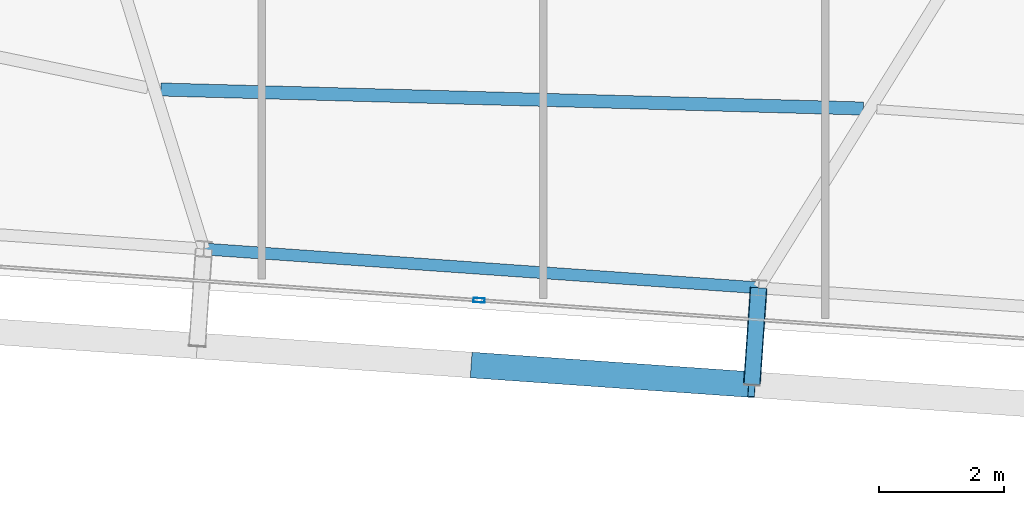
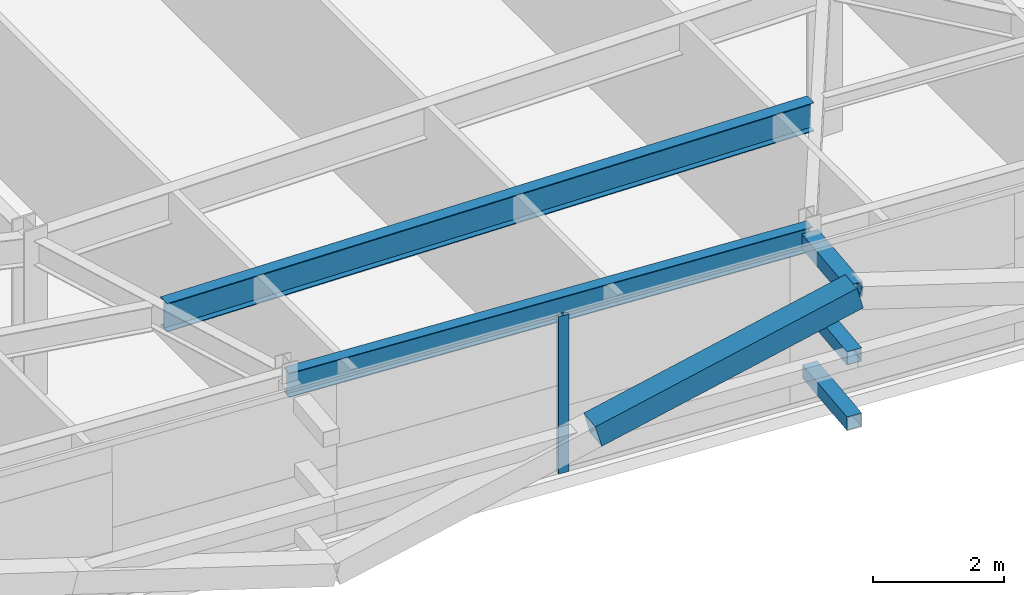
# One storey, part 9 of 39: 5 members, 2 beams, 1 element without a shape of its own.
"""IFC4 building model written with IfcOpenShell, lengths in metres."""

from ifc_helpers import new_model, si_unit, direction, frame, origin, origin_2d, place, context, subcontext, project, spatial, hollow_rectangle, i_section, extrude, source, transform, mapped, material, layer, layer_set, material_profile, profile_set, type_object, element, aggregate, save


model = new_model("IFC4")

# Units and contexts
model_context = context("Model", 3, precision=1e-05, world=origin(), true_north=direction((0.0, 1.0)))
body_context = subcontext(model_context, "Body", "Model", "MODEL_VIEW")
ifc_project = project(units=[si_unit("LENGTHUNIT", "METRE"), si_unit("AREAUNIT", "SQUARE_METRE"), si_unit("VOLUMEUNIT", "CUBIC_METRE"), si_unit("PLANEANGLEUNIT", "RADIAN"), si_unit("MASSUNIT", "GRAM", prefix="KILO")], contexts=[model_context])

# Site, building, storey
site_placement = place(None, origin())
site = spatial("IfcSite", under=ifc_project, at=site_placement, CompositionType="ELEMENT")
building_placement = place(site_placement, origin())
building = spatial("IfcBuilding", under=site, at=building_placement, Name="Taldren Reach Tower", CompositionType="ELEMENT")
storey_placement = place(building_placement, frame((0.0, 0.0, 158.199951171875)))
storey = spatial("IfcBuildingStorey", under=building, at=storey_placement, Name="L48", CompositionType="ELEMENT", Elevation=158.199951171875)

# Members
ifc_material_1 = material(Name="Steel Gr 450 (C450L0)", Category="steel")
ifc_material_profile_1 = material_profile(ifc_material_1, hollow_rectangle(XDim=0.27490234375, YDim=0.27490234375, WallThickness=0.00927734375, at=origin_2d()), Name="275x275x9.3SHS")
ifc_profile_set_1 = profile_set([ifc_material_profile_1], Name="Steel Gr 450 (C450L0)")
member_type_1 = type_object("IfcMemberType", Name="MB-TIE273", PredefinedType="STRUT", material=ifc_profile_set_1)
shared_shape_1 = source(origin(), body_context, "Body", "SweptSolid", [
    extrude(hollow_rectangle(XDim=0.27490234375, YDim=0.27490234375, WallThickness=0.00927734375, at=origin_2d()), origin(), (0.0, 0.0, 1.0), 1.550048828125),
])
member_1_placement = place(storey_placement, frame((38.438720703125, 3.480224609375, 2.650146484375), z_axis=(-0.06976957191, -0.99756313426, 0.0), x_axis=(0.99756313426, -0.06976957191, 0.0)))
element("IfcMember", 1, at=member_1_placement, inside=storey, type_object=member_type_1, Name="Exoskeleton diaphragm tie strut B3-S4 L48", PredefinedType="STRUT", context=body_context, shape_type="MappedRepresentation", body=[
    mapped(shared_shape_1, transform((0.0, 0.0, 0.0), scale=1.0)),
])
ifc_material_2 = material(Name="Steel Gr 350 (C350L0)", Category="steel")
ifc_material_profile_2 = material_profile(ifc_material_2, hollow_rectangle(XDim=0.25, YDim=0.25, WallThickness=0.010009765625, at=origin_2d()), Name="250x250x10.0SHS")
ifc_profile_set_2 = profile_set([ifc_material_profile_2], Name="Steel Gr 350 (C350L0)")
member_type_2 = type_object("IfcMemberType", Name="MB-POST250", PredefinedType="POST", material=ifc_profile_set_2)
shared_shape_2 = source(origin(), body_context, "Body", "SweptSolid", [
    extrude(hollow_rectangle(XDim=0.25, YDim=0.25, WallThickness=0.010009765625, at=origin_2d()), origin(), (0.0, 0.0, 1.0), 1.550048828125),
])
for number, where, z_axis, x_axis, name in (
    (2, (38.438720703125, 3.480224609375, 0.219970703125), (-0.06976957191, -0.99756313426, 0.0), (0.99756313426, -0.06976957191, 0.0), "Exoskeleton base diaphragm tie strut B3-S4 L48"),
    (3, (38.438720703125, 3.480224609375, 1.43505859375), (-0.06976957191, -0.99756313426, 0.0), (0.99756313426, -0.06976957191, 0.0), "Exoskeleton mid-tier diaphragm tie B3-S4 L48"),
):
    element("IfcMember", number, at=place(storey_placement, frame(where, z_axis=z_axis, x_axis=x_axis)), inside=storey, type_object=member_type_2, Name=name, PredefinedType="POST", context=body_context, shape_type="MappedRepresentation", body=[
        mapped(shared_shape_2, transform((0.0, 0.0, 0.0), scale=1.0)),
    ])

# Beams
ifc_material_3 = material(Name="Steel Gr 350 (350PLUS)", Category="steel")
ifc_material_profile_3 = material_profile(ifc_material_3, i_section(OverallWidth=0.18994140625, OverallDepth=0.4541015625, WebThickness=0.008544921875, FlangeThickness=0.0126953125, at=origin_2d()), Name="460UB67.1")
ifc_profile_set_3 = profile_set([ifc_material_profile_3], Name="Steel Gr 350 (350PLUS)")
beam_type_1 = type_object("IfcBeamType", Name="SP-UB460B", PredefinedType="SPANDREL", material=ifc_profile_set_3)
shared_shape_3 = source(origin(), body_context, "Body", "SweptSolid", [
    extrude(i_section(OverallWidth=0.18994140625, OverallDepth=0.4541015625, WebThickness=0.008544921875, FlangeThickness=0.0126953125, at=origin_2d()), origin(), (0.0, 0.0, 1.0), 8.880126953125),
])
beam_1_placement = place(storey_placement, frame((29.580322265625, 4.099609375, 2.703125), z_axis=(0.997564479639, -0.069750333063, 0.0), x_axis=(0.069750333063, 0.997564479639, 0.0)))
element("IfcBeam", 4, at=beam_1_placement, inside=storey, type_object=beam_type_1, Name="Perimeter spandrel B3 S3-S4 L48", PredefinedType="SPANDREL", context=body_context, shape_type="MappedRepresentation", body=[
    mapped(shared_shape_3, transform((0.0, 0.0, 0.0), scale=1.0)),
])
ifc_material_profile_4 = material_profile(ifc_material_3, i_section(OverallWidth=0.208984375, OverallDepth=0.532958984375, WebThickness=0.01025390625, FlangeThickness=0.015625, at=origin_2d()), Name="530UB92.4")
ifc_profile_set_4 = profile_set([ifc_material_profile_4], Name="Steel Gr 350 (350PLUS)")
beam_type_2 = type_object("IfcBeamType", Name="BM-UB530A", PredefinedType="BEAM", material=ifc_profile_set_4)
shared_shape_4 = source(origin(), body_context, "Body", "SweptSolid", [
    extrude(i_section(OverallWidth=0.208984375, OverallDepth=0.532958984375, WebThickness=0.01025390625, FlangeThickness=0.015625, at=origin_2d()), origin(), (0.0, 0.0, 1.0), 11.221923828125),
])
beam_2_placement = place(storey_placement, frame((28.890869140625, 6.64697265625, 2.66357421875), z_axis=(0.999633109536, -0.027085906272, 0.0), x_axis=(0.027085906272, 0.999633109536, 0.0)))
element("IfcBeam", 5, at=beam_2_placement, inside=storey, type_object=beam_type_2, Name="Secondary floor beam B3 J3 L48", PredefinedType="BEAM", context=body_context, shape_type="MappedRepresentation", body=[
    mapped(shared_shape_4, transform((0.0, 0.0, 0.0), scale=1.0)),
])

# Member
ifc_material_profile_5 = material_profile(ifc_material_1, hollow_rectangle(XDim=0.409912109375, YDim=0.409912109375, WallThickness=0.01611328125, at=origin_2d()), Name="410x410x16.0SHS")
ifc_profile_set_5 = profile_set([ifc_material_profile_5], Name="Steel Gr 450 (C450L0)")
member_type_3 = type_object("IfcMemberType", Name="MB-EXO406", PredefinedType="BRACE", material=ifc_profile_set_5)
shared_shape_5 = source(origin(), body_context, "Body", "SweptSolid", [
    extrude(hollow_rectangle(XDim=0.409912109375, YDim=0.409912109375, WallThickness=0.01611328125, at=origin_2d()), origin(), (0.0, 0.0, 1.0), 4.603271484375),
])
member_2_placement = place(storey_placement, frame((33.9013671875, 2.24365234375, 1.43505859375), z_axis=(0.962182351074, -0.067302910567, 0.263961060594), x_axis=(0.06977769246, 0.997562566276, 0.0)))
element("IfcMember", 6, at=member_2_placement, inside=storey, type_object=member_type_3, Name="Exoskeleton Diagrid Brace B3-S3 L48", PredefinedType="BRACE", context=body_context, shape_type="MappedRepresentation", body=[
    mapped(shared_shape_5, transform((0.0, 0.0, 0.0), scale=1.0)),
])

# Curtain wall, member
ifc_material_4 = material(Name="Aluminium and Low-E Glass Unitised System", Category="aluminium")
ifc_layer = layer(ifc_material_4, 0.159912109375)
ifc_layer_set = layer_set([ifc_layer], Name="Aluminium and Low-E Glass Unitised System")
curtain_wall_type = type_object("IfcCurtainWallType", Name="CW-SYS-4", PredefinedType="NOTDEFINED", material=ifc_layer_set)
curtain_wall_placement = place(storey_placement, origin())
curtain_wall = element("IfcCurtainWall", 7, at=curtain_wall_placement, inside=storey, type_object=curtain_wall_type, Name="Unitised curtain wall CW-L48-S", PredefinedType="NOTDEFINED")
ifc_material_5 = material(Name="Anodised Aluminium 6063-T6", Category="aluminium")
ifc_material_profile_6 = material_profile(ifc_material_5, hollow_rectangle(XDim=0.070068359375, YDim=0.179931640625, WallThickness=0.00390625, at=origin_2d()), Name="ALU-180x70x4RHS")
ifc_profile_set_6 = profile_set([ifc_material_profile_6], Name="Anodised Aluminium 6063-T6")
member_type_4 = type_object("IfcMemberType", Name="CW-MUL-180", PredefinedType="MULLION", material=ifc_profile_set_6)
shared_shape_6 = source(origin(), body_context, "Body", "SweptSolid", [
    extrude(hollow_rectangle(XDim=0.070068359375, YDim=0.179931640625, WallThickness=0.00390625, at=origin_2d()), origin(), (0.0, 0.0, 1.0), 2.929931640625),
])
member_3_placement = place(storey_placement, frame((33.973876953125, 3.281005859375, 0.0), z_axis=(0.0, 0.0, 1.0), x_axis=(0.06975651593, 0.99756404731, 0.0)))
member_3 = element("IfcMember", 8, at=member_3_placement, type_object=member_type_4, Name="CW-4 mullion 3", PredefinedType="MULLION", context=body_context, shape_type="MappedRepresentation", body=[
    mapped(shared_shape_6, transform((0.0, 0.0, 0.0), scale=1.0)),
])
aggregate(curtain_wall, [member_3])

save(model, "model.ifc")
